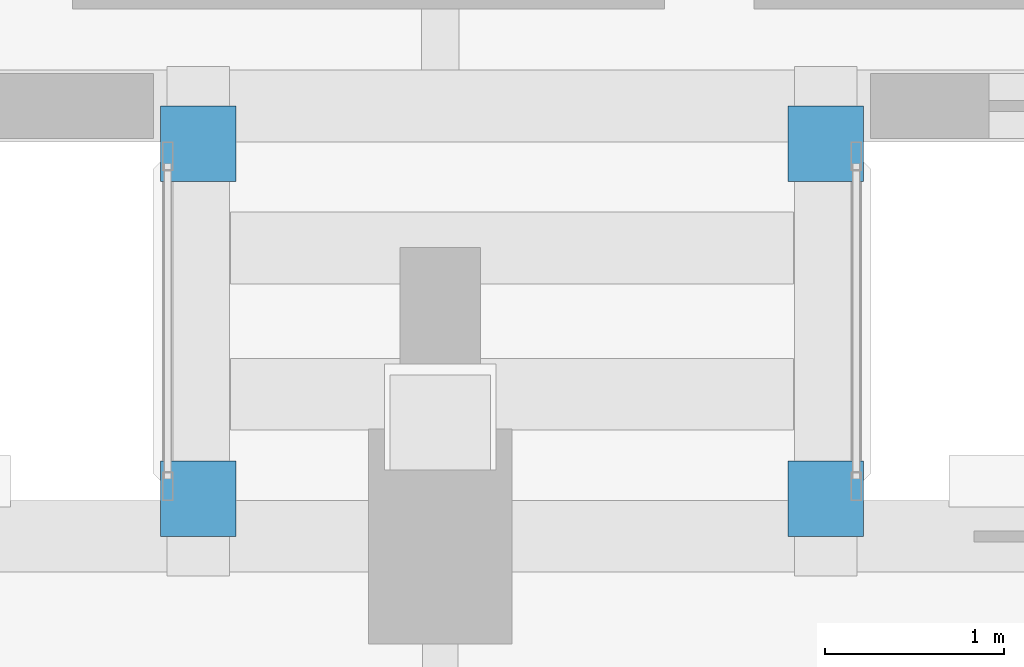
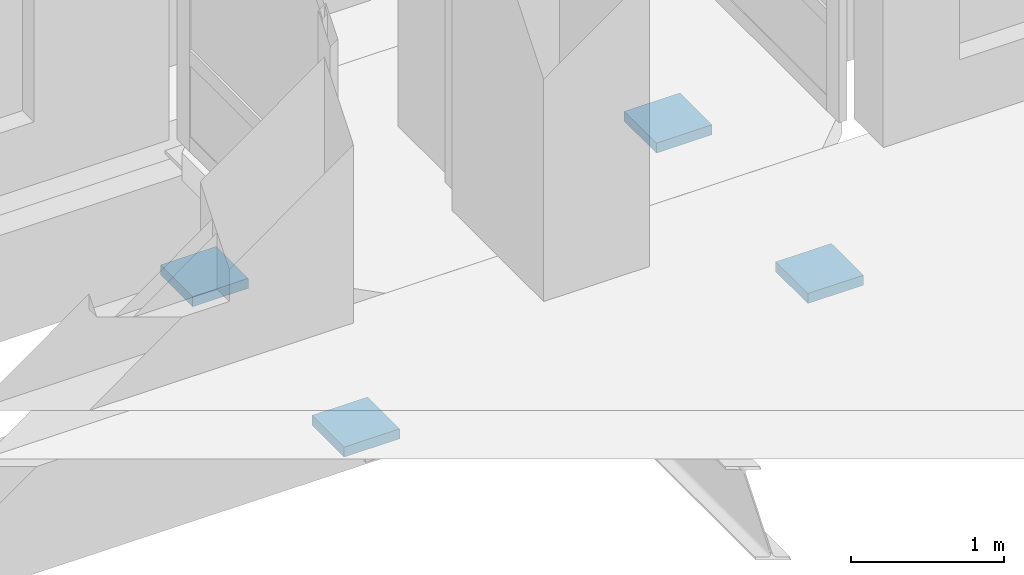
# One storey, part 162 of 193: 4 discrete accessories.
"""IFC4 building model written with IfcOpenShell, lengths in metres."""

from ifc_helpers import new_model, si_unit, direction, frame, origin, origin_2d, place, context, subcontext, project, spatial, rectangle, extrude, material, type_object, element, save


model = new_model("IFC4")

# Units and contexts
model_context = context("Model", 3, precision=1e-05, world=origin(), true_north=direction((0.0, 1.0)))
body_context = subcontext(model_context, "Body", "Model", "MODEL_VIEW")
ifc_project = project(units=[si_unit("LENGTHUNIT", "METRE"), si_unit("AREAUNIT", "SQUARE_METRE"), si_unit("VOLUMEUNIT", "CUBIC_METRE"), si_unit("PLANEANGLEUNIT", "RADIAN"), si_unit("MASSUNIT", "GRAM", prefix="KILO")], contexts=[model_context])

# Site, building, storey
site_placement = place(None, origin())
site = spatial("IfcSite", under=ifc_project, at=site_placement, CompositionType="ELEMENT")
building_placement = place(site_placement, origin())
building = spatial("IfcBuilding", under=site, at=building_placement, Name="Cendralis Lancet Convention Centre", CompositionType="ELEMENT")
storey_placement = place(building_placement, frame((0.0, 0.0, 10.199951171875)))
storey = spatial("IfcBuildingStorey", under=building, at=storey_placement, Name="L02", CompositionType="ELEMENT", Elevation=10.199951171875)

# Discrete accessories
ifc_material = material(Name="Elastomeric-PTFE sliding bridge bearing")
discrete_accessory_type = type_object("IfcDiscreteAccessoryType", Name="STR-BRG-PTFE", PredefinedType="SHOE", material=ifc_material)
for number, where, z_axis, x_axis, name in (
    (1, (145.050048828125, 91.409912109375, -1.199951171875), (0.0, 0.0, 1.0), (1.0, 0.0, 0.0), "Unguided PTFE Sliding Bridge Bearing SB-PTFE #021"),
    (2, (145.050048828125, 93.389892578125, -1.199951171875), (0.0, 0.0, 1.0), (1.0, 0.0, 0.0), "Unguided PTFE Sliding Bridge Bearing SB-PTFE #022"),
    (3, (148.550048828125, 91.409912109375, -1.199951171875), (0.0, 0.0, 1.0), (1.0, 0.0, 0.0), "Unguided PTFE Sliding Bridge Bearing SB-PTFE #023"),
    (4, (148.550048828125, 93.389892578125, -1.199951171875), (0.0, 0.0, 1.0), (1.0, 0.0, 0.0), "Unguided PTFE Sliding Bridge Bearing SB-PTFE #024"),
):
    element("IfcDiscreteAccessory", number, at=place(storey_placement, frame(where, z_axis=z_axis, x_axis=x_axis)), inside=storey, type_object=discrete_accessory_type, Name=name, PredefinedType="SHOE", context=body_context, shape_type="SweptSolid", body=[
        extrude(rectangle(XDim=0.419921875, YDim=0.419921875, at=origin_2d()), origin(), (0.0, 0.0, 1.0), 0.080078125),
    ])

save(model, "model.ifc")
